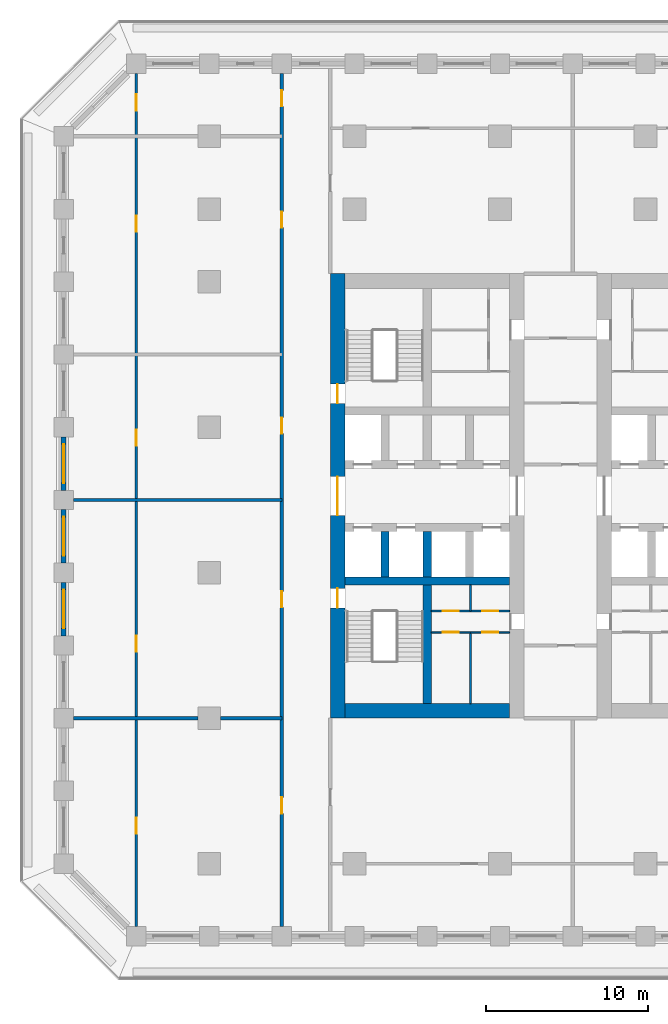
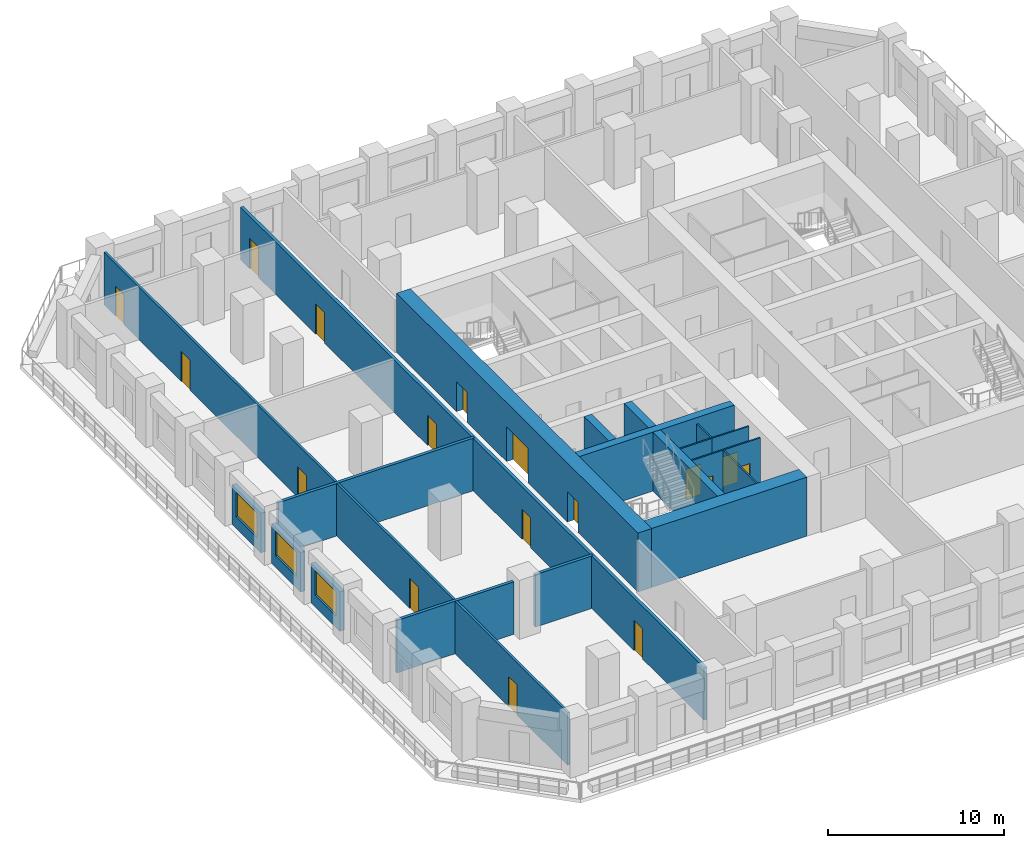
# One storey, part 3 of 16: 20 walls, 17 doors, 3 windows, 20 openings.
"""IFC4 building model written with IfcOpenShell, lengths in metres."""

from ifc_helpers import new_model, si_unit, direction, frame, frame_2d, origin, place, context, subcontext, project, spatial, rectangle, extrude, material, layer, layer_set, type_object, element, fill, save


model = new_model("IFC4")

# Units and contexts
model_context = context("Model", 3, precision=1e-05, world=origin(), true_north=direction((0.0, 1.0)))
body_context = subcontext(model_context, "Body", "Model", "MODEL_VIEW")
ifc_project = project(units=[si_unit("LENGTHUNIT", "METRE"), si_unit("AREAUNIT", "SQUARE_METRE"), si_unit("VOLUMEUNIT", "CUBIC_METRE"), si_unit("PLANEANGLEUNIT", "RADIAN"), si_unit("MASSUNIT", "GRAM", prefix="KILO")], contexts=[model_context])

# Site, building, storey
site_placement = place(None, origin())
site = spatial("IfcSite", under=ifc_project, at=site_placement, CompositionType="ELEMENT")
building_placement = place(site_placement, origin())
building = spatial("IfcBuilding", under=site, at=building_placement, Name="Corbel Stack Research Tower", CompositionType="ELEMENT")
storey_placement = place(building_placement, frame((0.0, 0.0, 137.199951171875)))
storey = spatial("IfcBuildingStorey", under=building, at=storey_placement, Name="L31", CompositionType="ELEMENT", Elevation=137.199951171875)

# Walls
ifc_material_1 = material(Name="Concrete C70/85", Category="concrete")
ifc_layer_1 = layer(ifc_material_1, 0.5)
ifc_layer_set_1 = layer_set([ifc_layer_1], Name="Concrete C70/85")
wall_type_1 = type_object("IfcWallType", Name="CW-500-70", PredefinedType="SHEAR", material=ifc_layer_set_1)
wall_1_placement = place(storey_placement, frame((-9.60009765625, -0.5, 0.0), z_axis=(0.0, 0.0, 1.0), x_axis=(1.0, 0.0, 0.0)))
element("IfcWall", 1, at=wall_1_placement, inside=storey, type_object=wall_type_1, Name="West core wall, south row back L31", PredefinedType="SHEAR", context=body_context, shape_type="SweptSolid", body=[
    extrude(rectangle(XDim=10.2001953125, YDim=0.5, at=frame_2d((5.10009765625, 0.0))), origin(), (0.0, 0.0, 1.0), 4.10009765625),
])
for number, where, z_axis, x_axis, name in (
    (2, (-7.125, -0.25, 0.0), (0.0, 0.0, 1.0), (0.0, 1.0, 0.0), "West core wall, south shaft 1 L31"),
    (3, (-4.5, -0.25, 0.0), (0.0, 0.0, 1.0), (0.0, 1.0, 0.0), "West core wall, south shaft 2 L31"),
):
    element("IfcWall", number, at=place(storey_placement, frame(where, z_axis=z_axis, x_axis=x_axis)), inside=storey, type_object=wall_type_1, Name=name, PredefinedType="SHEAR", context=body_context, shape_type="SweptSolid", body=[
        extrude(rectangle(XDim=2.800048828125, YDim=0.5, at=frame_2d((1.39990234375, 0.0))), origin(), (0.0, 0.0, 1.0), 4.10009765625),
    ])
wall_2_placement = place(storey_placement, frame((-4.5, -8.10009765625, 0.0), z_axis=(0.0, 0.0, 1.0), x_axis=(0.0, 1.0, 0.0)))
element("IfcWall", 4, at=wall_2_placement, inside=storey, type_object=wall_type_1, Name="West core wall, south stair and WC L31", PredefinedType="SHEAR", context=body_context, shape_type="SweptSolid", body=[
    extrude(rectangle(XDim=7.35009765625, YDim=0.5, at=frame_2d((3.675048828125, 0.0))), origin(), (0.0, 0.0, 1.0), 4.10009765625),
])

# Wall, openings, doors
ifc_material_2 = material(Name="Concrete C70/85", Category="concrete")
ifc_layer_2 = layer(ifc_material_2, 0.89990234375)
ifc_layer_set_2 = layer_set([ifc_layer_2], Name="Concrete C70/85")
wall_type_2 = type_object("IfcWallType", Name="CW-900-70", PredefinedType="SHEAR", material=ifc_layer_set_2)
wall_3_placement = place(storey_placement, frame((-10.050048828125, -9.0, 0.0), z_axis=(0.0, 0.0, 1.0), x_axis=(0.0, 1.0, 0.0)))
wall_3 = element("IfcWall", 5, at=wall_3_placement, inside=storey, type_object=wall_type_2, Name="West core wall, west face L31", PredefinedType="SHEAR", context=body_context, shape_type="SweptSolid", body=[
    extrude(rectangle(XDim=27.5, YDim=0.89990234375, at=frame_2d((13.75, 0.0))), origin(), (0.0, 0.0, 1.0), 4.10009765625),
])
opening_1_placement = place(wall_3_placement, frame((12.550048828125, 0.0, 0.0)))
opening_1 = element("IfcOpeningElement", 6, at=opening_1_placement, cuts=wall_3, Name="Opening CD-W-W", PredefinedType="OPENING", context=body_context, shape_type="SweptSolid", body=[
    extrude(rectangle(XDim=2.39990234375, YDim=2.39990234375, at=frame_2d((1.199951171875, 1.199951171875))), frame((0.0, 0.4599609375, 0.0), z_axis=(0.0, -1.0, 0.0), x_axis=(1.0, 0.0, 0.0)), (0.0, 0.0, 1.0), 0.919921875),
])
opening_2_placement = place(wall_3_placement, frame((6.824951171875, 0.0, 0.0)))
opening_2 = element("IfcOpeningElement", 7, at=opening_2_placement, cuts=wall_3, Name="Opening SD-ST-W1", PredefinedType="OPENING", context=body_context, shape_type="SweptSolid", body=[
    extrude(rectangle(XDim=1.199951171875, YDim=2.10009765625, at=frame_2d((0.60009765625, 1.050048828125))), frame((0.0, 0.4599609375, 0.0), z_axis=(0.0, -1.0, 0.0), x_axis=(1.0, 0.0, 0.0)), (0.0, 0.0, 1.0), 0.919921875),
])
opening_3_placement = place(wall_3_placement, frame((19.47509765625, 0.0, 0.0)))
opening_3 = element("IfcOpeningElement", 8, at=opening_3_placement, cuts=wall_3, Name="Opening SD-ST-W2", PredefinedType="OPENING", context=body_context, shape_type="SweptSolid", body=[
    extrude(rectangle(XDim=1.199951171875, YDim=2.10009765625, at=frame_2d((0.60009765625, 1.050048828125))), frame((0.0, 0.4599609375, 0.0), z_axis=(0.0, -1.0, 0.0), x_axis=(1.0, 0.0, 0.0)), (0.0, 0.0, 1.0), 0.919921875),
])
ifc_material_3 = material(Name="Painted steel fire door", Category="steel")
door_type_1 = type_object("IfcDoorType", Name="Lobby door pair 2400 x 2400 FD30S", OperationType="DOUBLE_DOOR_DOUBLE_SWING", PredefinedType="DOOR", material=ifc_material_3)
door_1_placement = place(opening_1_placement, origin())
door_1 = element("IfcDoor", 9, at=door_1_placement, inside=storey, type_object=door_type_1, Name="Lift lobby door W core W", OperationType="DOUBLE_DOOR_DOUBLE_SWING", OverallHeight=2.39990234375, OverallWidth=2.39990234375, PredefinedType="DOOR", context=body_context, shape_type="SweptSolid", body=[
    extrude(rectangle(XDim=2.39990234375, YDim=2.39990234375, at=frame_2d((1.199951171875, 1.199951171875))), frame((0.0, 0.02490234375, 0.0), z_axis=(0.0, -1.0, 0.0), x_axis=(1.0, 0.0, 0.0)), (0.0, 0.0, 1.0), 0.050048828125),
])
fill(opening_1, door_1)
ifc_material_4 = material(Name="Painted steel fire door", Category="steel")
door_type_2 = type_object("IfcDoorType", Name="Stair door 1200 x 2100 FD90 left hand", OperationType="SINGLE_SWING_LEFT", PredefinedType="DOOR", material=ifc_material_4)
door_2_placement = place(opening_2_placement, origin())
door_2 = element("IfcDoor", 10, at=door_2_placement, inside=storey, type_object=door_type_2, Name="Stair door ST-W1", OperationType="SINGLE_SWING_LEFT", OverallHeight=2.10009765625, OverallWidth=1.199951171875, PredefinedType="DOOR", context=body_context, shape_type="SweptSolid", body=[
    extrude(rectangle(XDim=1.199951171875, YDim=2.10009765625, at=frame_2d((0.60009765625, 1.050048828125))), frame((0.0, 0.02490234375, 0.0), z_axis=(0.0, -1.0, 0.0), x_axis=(1.0, 0.0, 0.0)), (0.0, 0.0, 1.0), 0.050048828125),
])
fill(opening_2, door_2)
door_3_placement = place(opening_3_placement, origin())
door_3 = element("IfcDoor", 11, at=door_3_placement, inside=storey, type_object=door_type_2, Name="Stair door ST-W2", OperationType="SINGLE_SWING_LEFT", OverallHeight=2.10009765625, OverallWidth=1.199951171875, PredefinedType="DOOR", context=body_context, shape_type="SweptSolid", body=[
    extrude(rectangle(XDim=1.199951171875, YDim=2.10009765625, at=frame_2d((0.60009765625, 1.050048828125))), frame((0.0, 0.02490234375, 0.0), z_axis=(0.0, -1.0, 0.0), x_axis=(1.0, 0.0, 0.0)), (0.0, 0.0, 1.0), 0.050048828125),
])
fill(opening_3, door_3)

# Wall
wall_4_placement = place(storey_placement, frame((-9.60009765625, -8.550048828125, 0.0), z_axis=(0.0, 0.0, 1.0), x_axis=(1.0, 0.0, 0.0)))
element("IfcWall", 12, at=wall_4_placement, inside=storey, type_object=wall_type_2, Name="West core wall, south end L31", PredefinedType="SHEAR", context=body_context, shape_type="SweptSolid", body=[
    extrude(rectangle(XDim=10.2001953125, YDim=0.89990234375, at=frame_2d((5.10009765625, 0.0))), origin(), (0.0, 0.0, 1.0), 4.10009765625),
])

# Wall, opening, door
ifc_material_5 = material(Name="Gypsum board")
ifc_layer_3 = layer(ifc_material_5, 0.10009765625)
ifc_layer_set_3 = layer_set([ifc_layer_3], Name="Gypsum board")
wall_type_3 = type_object("IfcWallType", Name="Core partition 100", PredefinedType="PARTITIONING", material=ifc_layer_set_3)
wall_5_placement = place(storey_placement, frame((-1.824951171875, -3.68994140625, 0.0), z_axis=(0.0, 0.0, 1.0), x_axis=(1.0, 0.0, 0.0)))
wall_5 = element("IfcWall", 13, at=wall_5_placement, inside=storey, type_object=wall_type_3, Name="Core partition W", PredefinedType="PARTITIONING", context=body_context, shape_type="SweptSolid", body=[
    extrude(rectangle(XDim=2.425048828125, YDim=0.10009765625, at=frame_2d((1.21240234375, 0.0))), origin(), (0.0, 0.0, 1.0), 3.650146484375),
])
opening_4_placement = place(wall_5_placement, frame((0.71240234375, 0.0, 0.0)))
opening_4 = element("IfcOpeningElement", 14, at=opening_4_placement, cuts=wall_5, Name="Opening CR-W54-W2-1000", PredefinedType="OPENING", context=body_context, shape_type="SweptSolid", body=[
    extrude(rectangle(XDim=1.0, YDim=2.10009765625, at=frame_2d((0.5, 1.050048828125))), frame((0.0, 0.06005859375, 0.0), z_axis=(0.0, -1.0, 0.0), x_axis=(1.0, 0.0, 0.0)), (0.0, 0.0, 1.0), 0.1201171875),
])
ifc_material_6 = material(Name="Painted timber door", Category="wood")
door_type_3 = type_object("IfcDoorType", Name="WC door 1000 x 2100 right hand", OperationType="SINGLE_SWING_RIGHT", PredefinedType="DOOR", material=ifc_material_6)
door_4_placement = place(opening_4_placement, origin())
door_4 = element("IfcDoor", 15, at=door_4_placement, inside=storey, type_object=door_type_3, Name="Women's WC door W core", OperationType="SINGLE_SWING_RIGHT", OverallHeight=2.10009765625, OverallWidth=1.0, PredefinedType="DOOR", context=body_context, shape_type="SweptSolid", body=[
    extrude(rectangle(XDim=1.0, YDim=2.10009765625, at=frame_2d((0.5, 1.050048828125))), frame((0.0, 0.02490234375, 0.0), z_axis=(0.0, -1.0, 0.0), x_axis=(1.0, 0.0, 0.0)), (0.0, 0.0, 1.0), 0.050048828125),
])
fill(opening_4, door_4)

wall_6_placement = place(storey_placement, frame((-4.25, -3.68994140625, 0.0), z_axis=(0.0, 0.0, 1.0), x_axis=(1.0, 0.0, 0.0)))
wall_6 = element("IfcWall", 16, at=wall_6_placement, inside=storey, type_object=wall_type_3, Name="Core partition W", PredefinedType="PARTITIONING", context=body_context, shape_type="SweptSolid", body=[
    extrude(rectangle(XDim=2.425048828125, YDim=0.10009765625, at=frame_2d((1.21240234375, 0.0))), origin(), (0.0, 0.0, 1.0), 3.650146484375),
])
opening_5_placement = place(wall_6_placement, frame((0.71240234375, 0.0, 0.0)))
opening_5 = element("IfcOpeningElement", 17, at=opening_5_placement, cuts=wall_6, Name="Opening CR-W54-W3-1000", PredefinedType="OPENING", context=body_context, shape_type="SweptSolid", body=[
    extrude(rectangle(XDim=1.0, YDim=2.10009765625, at=frame_2d((0.5, 1.050048828125))), frame((0.0, 0.06005859375, 0.0), z_axis=(0.0, -1.0, 0.0), x_axis=(1.0, 0.0, 0.0)), (0.0, 0.0, 1.0), 0.1201171875),
])
ifc_material_7 = material(Name="Painted timber door", Category="wood")
door_type_4 = type_object("IfcDoorType", Name="WC door 1000 x 2100 left hand", OperationType="SINGLE_SWING_LEFT", PredefinedType="DOOR", material=ifc_material_7)
door_5_placement = place(opening_5_placement, origin())
door_5 = element("IfcDoor", 18, at=door_5_placement, inside=storey, type_object=door_type_4, Name="Men's WC door W core", OperationType="SINGLE_SWING_LEFT", OverallHeight=2.10009765625, OverallWidth=1.0, PredefinedType="DOOR", context=body_context, shape_type="SweptSolid", body=[
    extrude(rectangle(XDim=1.0, YDim=2.10009765625, at=frame_2d((0.5, 1.050048828125))), frame((0.0, 0.02490234375, 0.0), z_axis=(0.0, -1.0, 0.0), x_axis=(1.0, 0.0, 0.0)), (0.0, 0.0, 1.0), 0.050048828125),
])
fill(opening_5, door_5)

wall_7_placement = place(storey_placement, frame((-1.824951171875, -2.366943359375, 0.0), z_axis=(0.0, 0.0, 1.0), x_axis=(1.0, 0.0, 0.0)))
wall_7 = element("IfcWall", 19, at=wall_7_placement, inside=storey, type_object=wall_type_3, Name="Core partition W", PredefinedType="PARTITIONING", context=body_context, shape_type="SweptSolid", body=[
    extrude(rectangle(XDim=2.425048828125, YDim=0.10009765625, at=frame_2d((1.21240234375, 0.0))), origin(), (0.0, 0.0, 1.0), 3.650146484375),
])
opening_6_placement = place(wall_7_placement, frame((0.71240234375, 0.0, 0.0)))
opening_6 = element("IfcOpeningElement", 20, at=opening_6_placement, cuts=wall_7, Name="Opening CR-W54-W4-1000", PredefinedType="OPENING", context=body_context, shape_type="SweptSolid", body=[
    extrude(rectangle(XDim=1.0, YDim=2.10009765625, at=frame_2d((0.5, 1.050048828125))), frame((0.0, 0.06005859375, 0.0), z_axis=(0.0, -1.0, 0.0), x_axis=(1.0, 0.0, 0.0)), (0.0, 0.0, 1.0), 0.1201171875),
])
door_6_placement = place(opening_6_placement, origin())
door_6 = element("IfcDoor", 21, at=door_6_placement, inside=storey, type_object=door_type_3, Name="Accessible WC door W core", OperationType="SINGLE_SWING_RIGHT", OverallHeight=2.10009765625, OverallWidth=1.0, PredefinedType="DOOR", context=body_context, shape_type="SweptSolid", body=[
    extrude(rectangle(XDim=1.0, YDim=2.10009765625, at=frame_2d((0.5, 1.050048828125))), frame((0.0, 0.02490234375, 0.0), z_axis=(0.0, -1.0, 0.0), x_axis=(1.0, 0.0, 0.0)), (0.0, 0.0, 1.0), 0.050048828125),
])
fill(opening_6, door_6)

wall_8_placement = place(storey_placement, frame((-4.25, -2.366943359375, 0.0), z_axis=(0.0, 0.0, 1.0), x_axis=(1.0, 0.0, 0.0)))
wall_8 = element("IfcWall", 22, at=wall_8_placement, inside=storey, type_object=wall_type_3, Name="Core partition W", PredefinedType="PARTITIONING", context=body_context, shape_type="SweptSolid", body=[
    extrude(rectangle(XDim=2.425048828125, YDim=0.10009765625, at=frame_2d((1.21240234375, 0.0))), origin(), (0.0, 0.0, 1.0), 3.650146484375),
])
opening_7_placement = place(wall_8_placement, frame((0.71240234375, 0.0, 0.0)))
opening_7 = element("IfcOpeningElement", 23, at=opening_7_placement, cuts=wall_8, Name="Opening CR-W54-W5-1000", PredefinedType="OPENING", context=body_context, shape_type="SweptSolid", body=[
    extrude(rectangle(XDim=1.0, YDim=2.10009765625, at=frame_2d((0.5, 1.050048828125))), frame((0.0, 0.06005859375, 0.0), z_axis=(0.0, -1.0, 0.0), x_axis=(1.0, 0.0, 0.0)), (0.0, 0.0, 1.0), 0.1201171875),
])
door_7_placement = place(opening_7_placement, origin())
door_7 = element("IfcDoor", 24, at=door_7_placement, inside=storey, type_object=door_type_4, Name="Shower and changing room door W core", OperationType="SINGLE_SWING_LEFT", OverallHeight=2.10009765625, OverallWidth=1.0, PredefinedType="DOOR", context=body_context, shape_type="SweptSolid", body=[
    extrude(rectangle(XDim=1.0, YDim=2.10009765625, at=frame_2d((0.5, 1.050048828125))), frame((0.0, 0.02490234375, 0.0), z_axis=(0.0, -1.0, 0.0), x_axis=(1.0, 0.0, 0.0)), (0.0, 0.0, 1.0), 0.050048828125),
])
fill(opening_7, door_7)

# Walls
wall_9_placement = place(storey_placement, frame((-1.824951171875, -8.10009765625, 0.0), z_axis=(0.0, 0.0, 1.0), x_axis=(0.0, 1.0, 0.0)))
element("IfcWall", 25, at=wall_9_placement, inside=storey, type_object=wall_type_3, Name="Core partition W", PredefinedType="PARTITIONING", context=body_context, shape_type="SweptSolid", body=[
    extrude(rectangle(XDim=4.41015625, YDim=0.10009765625, at=frame_2d((2.205078125, 0.0))), origin(), (0.0, 0.0, 1.0), 3.650146484375),
])
wall_10_placement = place(storey_placement, frame((-1.824951171875, -2.366943359375, 0.0), z_axis=(0.0, 0.0, 1.0), x_axis=(0.0, 1.0, 0.0)))
element("IfcWall", 26, at=wall_10_placement, inside=storey, type_object=wall_type_3, Name="Core partition W", PredefinedType="PARTITIONING", context=body_context, shape_type="SweptSolid", body=[
    extrude(rectangle(XDim=1.616943359375, YDim=0.10009765625, at=frame_2d((0.80859375, 0.0))), origin(), (0.0, 0.0, 1.0), 3.650146484375),
])

# Wall, openings, doors
ifc_material_8 = material(Name="Fire-rated gypsum board partition on steel studs", Category="steel")
ifc_layer_4 = layer(ifc_material_8, 0.199951171875)
ifc_layer_set_4 = layer_set([ifc_layer_4], Name="Fire-rated gypsum board partition on steel studs")
wall_type_4 = type_object("IfcWallType", Name="Fire-rated partition 200 EI 60", PredefinedType="PARTITIONING", material=ifc_layer_set_4)
wall_11_placement = place(storey_placement, frame((-13.5, -21.89990234375, 0.0), z_axis=(0.0, 0.0, 1.0), x_axis=(0.0, 1.0, 0.0)))
wall_11 = element("IfcWall", 27, at=wall_11_placement, inside=storey, type_object=wall_type_4, Name="Partition L31-002", PredefinedType="PARTITIONING", context=body_context, shape_type="SweptSolid", body=[
    extrude(rectangle(XDim=52.7998046875, YDim=0.199951171875, at=frame_2d((26.39990234375, 0.0))), origin(), (0.0, 0.0, 1.0), 3.650146484375),
])
opening_8_placement = place(wall_11_placement, frame((7.0, 0.0, 0.0)))
opening_8 = element("IfcOpeningElement", 28, at=opening_8_placement, cuts=wall_11, Name="Opening B4V2-008", PredefinedType="OPENING", context=body_context, shape_type="SweptSolid", body=[
    extrude(rectangle(XDim=1.0, YDim=2.10009765625, at=frame_2d((0.5, 1.050048828125))), frame((0.0, 0.10986328125, 0.0), z_axis=(0.0, -1.0, 0.0), x_axis=(1.0, 0.0, 0.0)), (0.0, 0.0, 1.0), 0.219970703125),
])
opening_9_placement = place(wall_11_placement, frame((19.75, 0.0, 0.0)))
opening_9 = element("IfcOpeningElement", 29, at=opening_9_placement, cuts=wall_11, Name="Opening B4V2-009", PredefinedType="OPENING", context=body_context, shape_type="SweptSolid", body=[
    extrude(rectangle(XDim=1.0, YDim=2.10009765625, at=frame_2d((0.5, 1.050048828125))), frame((0.0, 0.10986328125, 0.0), z_axis=(0.0, -1.0, 0.0), x_axis=(1.0, 0.0, 0.0)), (0.0, 0.0, 1.0), 0.219970703125),
])
opening_10_placement = place(wall_11_placement, frame((30.5, 0.0, 0.0)))
opening_10 = element("IfcOpeningElement", 30, at=opening_10_placement, cuts=wall_11, Name="Opening B4V2-010", PredefinedType="OPENING", context=body_context, shape_type="SweptSolid", body=[
    extrude(rectangle(XDim=1.0, YDim=2.10009765625, at=frame_2d((0.5, 1.050048828125))), frame((0.0, 0.10986328125, 0.0), z_axis=(0.0, -1.0, 0.0), x_axis=(1.0, 0.0, 0.0)), (0.0, 0.0, 1.0), 0.219970703125),
])
opening_11_placement = place(wall_11_placement, frame((43.25, 0.0, 0.0)))
opening_11 = element("IfcOpeningElement", 31, at=opening_11_placement, cuts=wall_11, Name="Opening B4V2-011", PredefinedType="OPENING", context=body_context, shape_type="SweptSolid", body=[
    extrude(rectangle(XDim=1.0, YDim=2.10009765625, at=frame_2d((0.5, 1.050048828125))), frame((0.0, 0.10986328125, 0.0), z_axis=(0.0, -1.0, 0.0), x_axis=(1.0, 0.0, 0.0)), (0.0, 0.0, 1.0), 0.219970703125),
])
opening_12_placement = place(wall_11_placement, frame((50.75, 0.0, 0.0)))
opening_12 = element("IfcOpeningElement", 32, at=opening_12_placement, cuts=wall_11, Name="Opening B4V2-012", PredefinedType="OPENING", context=body_context, shape_type="SweptSolid", body=[
    extrude(rectangle(XDim=1.0, YDim=2.10009765625, at=frame_2d((0.5, 1.050048828125))), frame((0.0, 0.10986328125, 0.0), z_axis=(0.0, -1.0, 0.0), x_axis=(1.0, 0.0, 0.0)), (0.0, 0.0, 1.0), 0.219970703125),
])
ifc_material_9 = material(Name="Painted steel fire door", Category="steel")
door_type_5 = type_object("IfcDoorType", Name="Fire door FD30S 1000 x 2100", OperationType="NOTDEFINED", PredefinedType="DOOR", material=ifc_material_9)
door_8_placement = place(opening_8_placement, origin())
door_8 = element("IfcDoor", 33, at=door_8_placement, inside=storey, type_object=door_type_5, Name="Door B4V2-008", OperationType="SINGLE_SWING_LEFT", OverallHeight=2.10009765625, OverallWidth=1.0, PredefinedType="DOOR", context=body_context, shape_type="SweptSolid", body=[
    extrude(rectangle(XDim=1.0, YDim=2.10009765625, at=frame_2d((0.5, 1.050048828125))), frame((0.0, 0.02490234375, 0.0), z_axis=(0.0, -1.0, 0.0), x_axis=(1.0, 0.0, 0.0)), (0.0, 0.0, 1.0), 0.050048828125),
])
fill(opening_8, door_8)
door_9_placement = place(opening_9_placement, origin())
door_9 = element("IfcDoor", 34, at=door_9_placement, inside=storey, type_object=door_type_5, Name="Door B4V2-009", OperationType="SINGLE_SWING_LEFT", OverallHeight=2.10009765625, OverallWidth=1.0, PredefinedType="DOOR", context=body_context, shape_type="SweptSolid", body=[
    extrude(rectangle(XDim=1.0, YDim=2.10009765625, at=frame_2d((0.5, 1.050048828125))), frame((0.0, 0.02490234375, 0.0), z_axis=(0.0, -1.0, 0.0), x_axis=(1.0, 0.0, 0.0)), (0.0, 0.0, 1.0), 0.050048828125),
])
fill(opening_9, door_9)
door_10_placement = place(opening_10_placement, origin())
door_10 = element("IfcDoor", 35, at=door_10_placement, inside=storey, type_object=door_type_5, Name="Door B4V2-010", OperationType="SINGLE_SWING_RIGHT", OverallHeight=2.10009765625, OverallWidth=1.0, PredefinedType="DOOR", context=body_context, shape_type="SweptSolid", body=[
    extrude(rectangle(XDim=1.0, YDim=2.10009765625, at=frame_2d((0.5, 1.050048828125))), frame((0.0, 0.02490234375, 0.0), z_axis=(0.0, -1.0, 0.0), x_axis=(1.0, 0.0, 0.0)), (0.0, 0.0, 1.0), 0.050048828125),
])
fill(opening_10, door_10)
door_11_placement = place(opening_11_placement, origin())
door_11 = element("IfcDoor", 36, at=door_11_placement, inside=storey, type_object=door_type_5, Name="Door B4V2-011", OperationType="SINGLE_SWING_RIGHT", OverallHeight=2.10009765625, OverallWidth=1.0, PredefinedType="DOOR", context=body_context, shape_type="SweptSolid", body=[
    extrude(rectangle(XDim=1.0, YDim=2.10009765625, at=frame_2d((0.5, 1.050048828125))), frame((0.0, 0.02490234375, 0.0), z_axis=(0.0, -1.0, 0.0), x_axis=(1.0, 0.0, 0.0)), (0.0, 0.0, 1.0), 0.050048828125),
])
fill(opening_11, door_11)
door_12_placement = place(opening_12_placement, origin())
door_12 = element("IfcDoor", 37, at=door_12_placement, inside=storey, type_object=door_type_5, Name="Door B4V2-012", OperationType="SINGLE_SWING_RIGHT", OverallHeight=2.10009765625, OverallWidth=1.0, PredefinedType="DOOR", context=body_context, shape_type="SweptSolid", body=[
    extrude(rectangle(XDim=1.0, YDim=2.10009765625, at=frame_2d((0.5, 1.050048828125))), frame((0.0, 0.02490234375, 0.0), z_axis=(0.0, -1.0, 0.0), x_axis=(1.0, 0.0, 0.0)), (0.0, 0.0, 1.0), 0.050048828125),
])
fill(opening_12, door_12)

# Walls
wall_12_placement = place(storey_placement, frame((-26.39990234375, -9.0, 0.0), z_axis=(0.0, 0.0, 1.0), x_axis=(1.0, 0.0, 0.0)))
element("IfcWall", 38, at=wall_12_placement, inside=storey, type_object=wall_type_4, Name="Partition L31-017", PredefinedType="PARTITIONING", context=body_context, shape_type="SweptSolid", body=[
    extrude(rectangle(XDim=7.699951171875, YDim=0.199951171875, at=frame_2d((3.85009765625, 0.0))), origin(), (0.0, 0.0, 1.0), 3.650146484375),
])
wall_13_placement = place(storey_placement, frame((-17.300048828125, -9.0, 0.0), z_axis=(0.0, 0.0, 1.0), x_axis=(1.0, 0.0, 0.0)))
element("IfcWall", 39, at=wall_13_placement, inside=storey, type_object=wall_type_4, Name="Partition L31-018", PredefinedType="PARTITIONING", context=body_context, shape_type="SweptSolid", body=[
    extrude(rectangle(XDim=3.800048828125, YDim=0.199951171875, at=frame_2d((1.89990234375, 0.0))), origin(), (0.0, 0.0, 1.0), 3.650146484375),
])
wall_14_placement = place(storey_placement, frame((-26.39990234375, 4.5, 0.0), z_axis=(0.0, 0.0, 1.0), x_axis=(1.0, 0.0, 0.0)))
element("IfcWall", 40, at=wall_14_placement, inside=storey, type_object=wall_type_4, Name="Partition L31-023", PredefinedType="PARTITIONING", context=body_context, shape_type="SweptSolid", body=[
    extrude(rectangle(XDim=12.89990234375, YDim=0.199951171875, at=frame_2d((6.449951171875, 0.0))), origin(), (0.0, 0.0, 1.0), 3.650146484375),
])

# Wall, openings, doors
ifc_material_10 = material(Name="Gypsum board partition on steel studs", Category="steel")
ifc_layer_5 = layer(ifc_material_10, 0.14990234375)
ifc_layer_set_5 = layer_set([ifc_layer_5], Name="Gypsum board partition on steel studs")
wall_type_5 = type_object("IfcWallType", Name="Partition 150", PredefinedType="PARTITIONING", material=ifc_layer_set_5)
wall_15_placement = place(storey_placement, frame((-22.5, -21.89990234375, 0.0), z_axis=(0.0, 0.0, 1.0), x_axis=(0.0, 1.0, 0.0)))
wall_15 = element("IfcWall", 41, at=wall_15_placement, inside=storey, type_object=wall_type_5, Name="Partition L31-001", PredefinedType="PARTITIONING", context=body_context, shape_type="SweptSolid", body=[
    extrude(rectangle(XDim=52.7998046875, YDim=0.14990234375, at=frame_2d((26.39990234375, 0.0))), origin(), (0.0, 0.0, 1.0), 3.650146484375),
])
opening_13_placement = place(wall_15_placement, frame((5.75, 0.0, 0.0)))
opening_13 = element("IfcOpeningElement", 42, at=opening_13_placement, cuts=wall_15, Name="Opening B4V2-001", PredefinedType="OPENING", context=body_context, shape_type="SweptSolid", body=[
    extrude(rectangle(XDim=1.0, YDim=2.10009765625, at=frame_2d((0.5, 1.050048828125))), frame((0.0, 0.0849609375, 0.0), z_axis=(0.0, -1.0, 0.0), x_axis=(1.0, 0.0, 0.0)), (0.0, 0.0, 1.0), 0.169921875),
])
opening_14_placement = place(wall_15_placement, frame((17.0, 0.0, 0.0)))
opening_14 = element("IfcOpeningElement", 43, at=opening_14_placement, cuts=wall_15, Name="Opening B4V2-002", PredefinedType="OPENING", context=body_context, shape_type="SweptSolid", body=[
    extrude(rectangle(XDim=1.0, YDim=2.10009765625, at=frame_2d((0.5, 1.050048828125))), frame((0.0, 0.0849609375, 0.0), z_axis=(0.0, -1.0, 0.0), x_axis=(1.0, 0.0, 0.0)), (0.0, 0.0, 1.0), 0.169921875),
])
opening_15_placement = place(wall_15_placement, frame((29.75, 0.0, 0.0)))
opening_15 = element("IfcOpeningElement", 44, at=opening_15_placement, cuts=wall_15, Name="Opening B4V2-003", PredefinedType="OPENING", context=body_context, shape_type="SweptSolid", body=[
    extrude(rectangle(XDim=1.0, YDim=2.10009765625, at=frame_2d((0.5, 1.050048828125))), frame((0.0, 0.0849609375, 0.0), z_axis=(0.0, -1.0, 0.0), x_axis=(1.0, 0.0, 0.0)), (0.0, 0.0, 1.0), 0.169921875),
])
opening_16_placement = place(wall_15_placement, frame((43.0, 0.0, 0.0)))
opening_16 = element("IfcOpeningElement", 45, at=opening_16_placement, cuts=wall_15, Name="Opening B4V2-004", PredefinedType="OPENING", context=body_context, shape_type="SweptSolid", body=[
    extrude(rectangle(XDim=1.0, YDim=2.10009765625, at=frame_2d((0.5, 1.050048828125))), frame((0.0, 0.0849609375, 0.0), z_axis=(0.0, -1.0, 0.0), x_axis=(1.0, 0.0, 0.0)), (0.0, 0.0, 1.0), 0.169921875),
])
opening_17_placement = place(wall_15_placement, frame((50.5, 0.0, 0.0)))
opening_17 = element("IfcOpeningElement", 46, at=opening_17_placement, cuts=wall_15, Name="Opening B4V2-005", PredefinedType="OPENING", context=body_context, shape_type="SweptSolid", body=[
    extrude(rectangle(XDim=1.0, YDim=2.10009765625, at=frame_2d((0.5, 1.050048828125))), frame((0.0, 0.0849609375, 0.0), z_axis=(0.0, -1.0, 0.0), x_axis=(1.0, 0.0, 0.0)), (0.0, 0.0, 1.0), 0.169921875),
])
ifc_material_11 = material(Name="Painted timber door", Category="wood")
door_type_6 = type_object("IfcDoorType", Name="Single door 1000 x 2100", OperationType="NOTDEFINED", PredefinedType="DOOR", material=ifc_material_11)
door_13_placement = place(opening_13_placement, origin())
door_13 = element("IfcDoor", 47, at=door_13_placement, inside=storey, type_object=door_type_6, Name="Door B4V2-001", OperationType="SINGLE_SWING_LEFT", OverallHeight=2.10009765625, OverallWidth=1.0, PredefinedType="DOOR", context=body_context, shape_type="SweptSolid", body=[
    extrude(rectangle(XDim=1.0, YDim=2.10009765625, at=frame_2d((0.5, 1.050048828125))), frame((0.0, 0.02490234375, 0.0), z_axis=(0.0, -1.0, 0.0), x_axis=(1.0, 0.0, 0.0)), (0.0, 0.0, 1.0), 0.050048828125),
])
fill(opening_13, door_13)
door_14_placement = place(opening_14_placement, origin())
door_14 = element("IfcDoor", 48, at=door_14_placement, inside=storey, type_object=door_type_6, Name="Door B4V2-002", OperationType="SINGLE_SWING_LEFT", OverallHeight=2.10009765625, OverallWidth=1.0, PredefinedType="DOOR", context=body_context, shape_type="SweptSolid", body=[
    extrude(rectangle(XDim=1.0, YDim=2.10009765625, at=frame_2d((0.5, 1.050048828125))), frame((0.0, 0.02490234375, 0.0), z_axis=(0.0, -1.0, 0.0), x_axis=(1.0, 0.0, 0.0)), (0.0, 0.0, 1.0), 0.050048828125),
])
fill(opening_14, door_14)
door_15_placement = place(opening_15_placement, origin())
door_15 = element("IfcDoor", 49, at=door_15_placement, inside=storey, type_object=door_type_6, Name="Door B4V2-003", OperationType="SINGLE_SWING_RIGHT", OverallHeight=2.10009765625, OverallWidth=1.0, PredefinedType="DOOR", context=body_context, shape_type="SweptSolid", body=[
    extrude(rectangle(XDim=1.0, YDim=2.10009765625, at=frame_2d((0.5, 1.050048828125))), frame((0.0, 0.02490234375, 0.0), z_axis=(0.0, -1.0, 0.0), x_axis=(1.0, 0.0, 0.0)), (0.0, 0.0, 1.0), 0.050048828125),
])
fill(opening_15, door_15)
door_16_placement = place(opening_16_placement, origin())
door_16 = element("IfcDoor", 50, at=door_16_placement, inside=storey, type_object=door_type_6, Name="Door B4V2-004", OperationType="SINGLE_SWING_RIGHT", OverallHeight=2.10009765625, OverallWidth=1.0, PredefinedType="DOOR", context=body_context, shape_type="SweptSolid", body=[
    extrude(rectangle(XDim=1.0, YDim=2.10009765625, at=frame_2d((0.5, 1.050048828125))), frame((0.0, 0.02490234375, 0.0), z_axis=(0.0, -1.0, 0.0), x_axis=(1.0, 0.0, 0.0)), (0.0, 0.0, 1.0), 0.050048828125),
])
fill(opening_16, door_16)
door_17_placement = place(opening_17_placement, origin())
door_17 = element("IfcDoor", 51, at=door_17_placement, inside=storey, type_object=door_type_6, Name="Door B4V2-005", OperationType="SINGLE_SWING_RIGHT", OverallHeight=2.10009765625, OverallWidth=1.0, PredefinedType="DOOR", context=body_context, shape_type="SweptSolid", body=[
    extrude(rectangle(XDim=1.0, YDim=2.10009765625, at=frame_2d((0.5, 1.050048828125))), frame((0.0, 0.02490234375, 0.0), z_axis=(0.0, -1.0, 0.0), x_axis=(1.0, 0.0, 0.0)), (0.0, 0.0, 1.0), 0.050048828125),
])
fill(opening_17, door_17)

# Wall, opening, window
ifc_material_12 = material(Name="Concrete C45/55", Category="concrete")
ifc_layer_6 = layer(ifc_material_12, 0.300048828125)
ifc_layer_set_6 = layer_set([ifc_layer_6], Name="Concrete C45/55")
wall_type_6 = type_object("IfcWallType", Name="Terracotta-faced concrete wall 300", PredefinedType="SOLIDWALL", material=ifc_layer_set_6)
wall_16_placement = place(storey_placement, frame((-27.0, 5.10009765625, 0.0), z_axis=(0.0, 0.0, 1.0), x_axis=(0.0, 1.0, 0.0)))
wall_16 = element("IfcWall", 52, at=wall_16_placement, inside=storey, type_object=wall_type_6, Name="Facade wall L31 W05", PredefinedType="SOLIDWALL", context=body_context, shape_type="SweptSolid", body=[
    extrude(rectangle(XDim=3.2998046875, YDim=0.300048828125, at=frame_2d((1.64990234375, 0.0))), origin(), (0.0, 0.0, 1.0), 2.75),
])
opening_18_placement = place(wall_16_placement, frame((0.449951171875, 0.0, 0.800048828125)))
opening_18 = element("IfcOpeningElement", 53, at=opening_18_placement, cuts=wall_16, Name="Opening W1", PredefinedType="OPENING", context=body_context, shape_type="SweptSolid", body=[
    extrude(rectangle(XDim=2.39990234375, YDim=1.699951171875, at=frame_2d((1.199951171875, 0.85009765625))), frame((0.0, 0.159912109375, 0.0), z_axis=(0.0, -1.0, 0.0), x_axis=(1.0, 0.0, 0.0)), (0.0, 0.0, 1.0), 0.320068359375),
])
ifc_material_13 = material(Name="Aluminium frame, clear double glazing", Category="aluminium")
window_type = type_object("IfcWindowType", Name="Window W1 2400 x 1700", PartitioningType="SINGLE_PANEL", PredefinedType="WINDOW", material=ifc_material_13)
window_1_placement = place(opening_18_placement, origin())
window_1 = element("IfcWindow", 54, at=window_1_placement, inside=storey, type_object=window_type, Name="Window W1 L31 W05", OverallHeight=1.699951171875, OverallWidth=2.39990234375, PartitioningType="SINGLE_PANEL", PredefinedType="WINDOW", context=body_context, shape_type="SweptSolid", body=[
    extrude(rectangle(XDim=2.39990234375, YDim=1.699951171875, at=frame_2d((1.199951171875, 0.85009765625))), frame((0.0, 0.030029296875, 0.0), z_axis=(0.0, -1.0, 0.0), x_axis=(1.0, 0.0, 0.0)), (0.0, 0.0, 1.0), 0.06005859375),
])
fill(opening_18, window_1)

wall_17_placement = place(storey_placement, frame((-27.0, 0.60009765625, 0.0), z_axis=(0.0, 0.0, 1.0), x_axis=(0.0, 1.0, 0.0)))
wall_17 = element("IfcWall", 55, at=wall_17_placement, inside=storey, type_object=wall_type_6, Name="Facade wall L31 W06", PredefinedType="SOLIDWALL", context=body_context, shape_type="SweptSolid", body=[
    extrude(rectangle(XDim=3.2998046875, YDim=0.300048828125, at=frame_2d((1.64990234375, 0.0))), origin(), (0.0, 0.0, 1.0), 2.75),
])
opening_19_placement = place(wall_17_placement, frame((0.449951171875, 0.0, 0.800048828125)))
opening_19 = element("IfcOpeningElement", 56, at=opening_19_placement, cuts=wall_17, Name="Opening W1", PredefinedType="OPENING", context=body_context, shape_type="SweptSolid", body=[
    extrude(rectangle(XDim=2.39990234375, YDim=1.699951171875, at=frame_2d((1.199951171875, 0.85009765625))), frame((0.0, 0.159912109375, 0.0), z_axis=(0.0, -1.0, 0.0), x_axis=(1.0, 0.0, 0.0)), (0.0, 0.0, 1.0), 0.320068359375),
])
window_2_placement = place(opening_19_placement, origin())
window_2 = element("IfcWindow", 57, at=window_2_placement, inside=storey, type_object=window_type, Name="Window W1 L31 W06", OverallHeight=1.699951171875, OverallWidth=2.39990234375, PartitioningType="SINGLE_PANEL", PredefinedType="WINDOW", context=body_context, shape_type="SweptSolid", body=[
    extrude(rectangle(XDim=2.39990234375, YDim=1.699951171875, at=frame_2d((1.199951171875, 0.85009765625))), frame((0.0, 0.030029296875, 0.0), z_axis=(0.0, -1.0, 0.0), x_axis=(1.0, 0.0, 0.0)), (0.0, 0.0, 1.0), 0.06005859375),
])
fill(opening_19, window_2)

wall_18_placement = place(storey_placement, frame((-27.0, -3.89990234375, 0.0), z_axis=(0.0, 0.0, 1.0), x_axis=(0.0, 1.0, 0.0)))
wall_18 = element("IfcWall", 58, at=wall_18_placement, inside=storey, type_object=wall_type_6, Name="Facade wall L31 W07", PredefinedType="SOLIDWALL", context=body_context, shape_type="SweptSolid", body=[
    extrude(rectangle(XDim=3.2998046875, YDim=0.300048828125, at=frame_2d((1.64990234375, 0.0))), origin(), (0.0, 0.0, 1.0), 2.75),
])
opening_20_placement = place(wall_18_placement, frame((0.449951171875, 0.0, 0.800048828125)))
opening_20 = element("IfcOpeningElement", 59, at=opening_20_placement, cuts=wall_18, Name="Opening W1", PredefinedType="OPENING", context=body_context, shape_type="SweptSolid", body=[
    extrude(rectangle(XDim=2.39990234375, YDim=1.699951171875, at=frame_2d((1.199951171875, 0.85009765625))), frame((0.0, 0.159912109375, 0.0), z_axis=(0.0, -1.0, 0.0), x_axis=(1.0, 0.0, 0.0)), (0.0, 0.0, 1.0), 0.320068359375),
])
window_3_placement = place(opening_20_placement, origin())
window_3 = element("IfcWindow", 60, at=window_3_placement, inside=storey, type_object=window_type, Name="Window W1 L31 W07", OverallHeight=1.699951171875, OverallWidth=2.39990234375, PartitioningType="SINGLE_PANEL", PredefinedType="WINDOW", context=body_context, shape_type="SweptSolid", body=[
    extrude(rectangle(XDim=2.39990234375, YDim=1.699951171875, at=frame_2d((1.199951171875, 0.85009765625))), frame((0.0, 0.030029296875, 0.0), z_axis=(0.0, -1.0, 0.0), x_axis=(1.0, 0.0, 0.0)), (0.0, 0.0, 1.0), 0.06005859375),
])
fill(opening_20, window_3)

save(model, "model.ifc")
